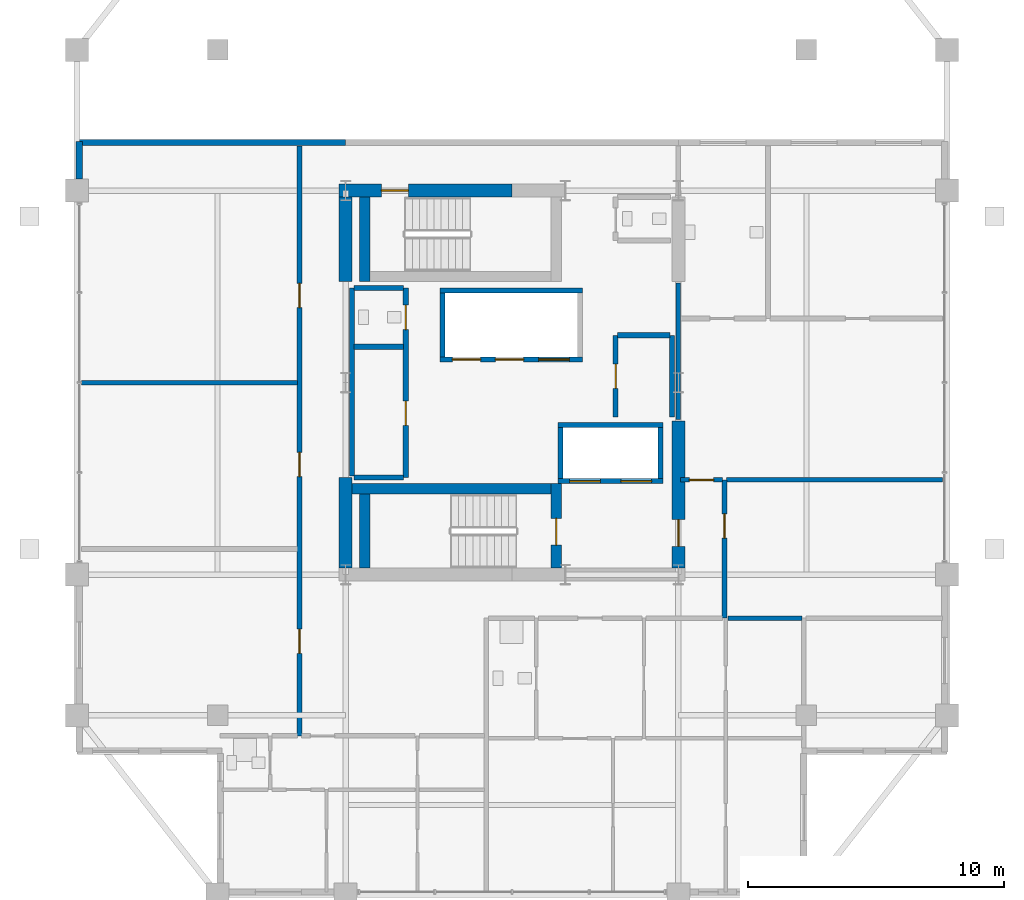
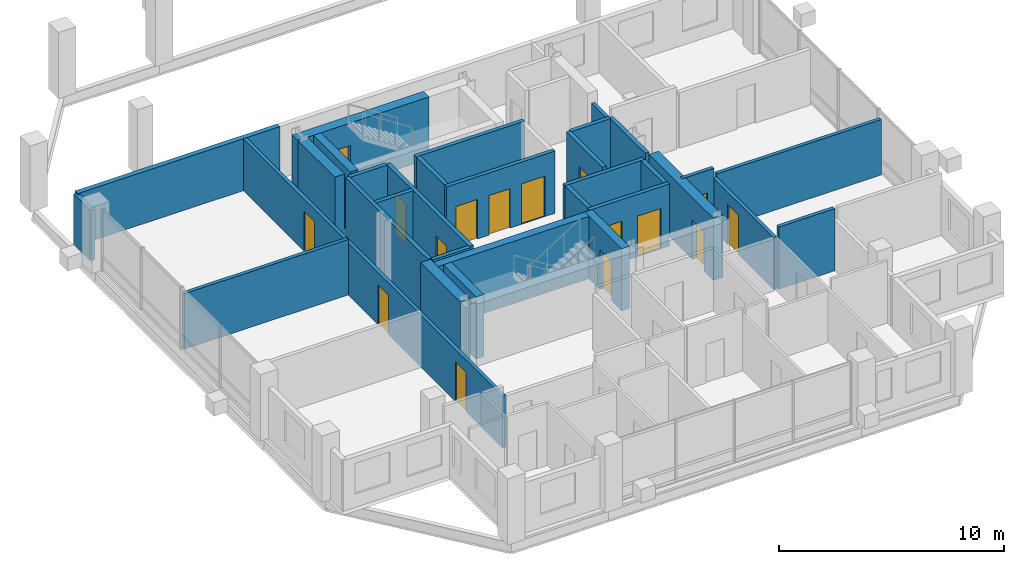
# One storey, part 13 of 16: 32 walls, 16 doors, 16 openings.
"""IFC4 building model written with IfcOpenShell, lengths in metres."""

from ifc_helpers import new_model, si_unit, direction, frame, frame_2d, origin, place, context, subcontext, project, spatial, rectangle, extrude, material, layer, layer_set, type_object, element, fill, save


model = new_model("IFC4")

# Units and contexts
model_context = context("Model", 3, precision=1e-05, world=origin(), true_north=direction((0.0, 1.0)))
body_context = subcontext(model_context, "Body", "Model", "MODEL_VIEW")
ifc_project = project(units=[si_unit("LENGTHUNIT", "METRE"), si_unit("AREAUNIT", "SQUARE_METRE"), si_unit("VOLUMEUNIT", "CUBIC_METRE"), si_unit("PLANEANGLEUNIT", "RADIAN"), si_unit("MASSUNIT", "GRAM", prefix="KILO")], contexts=[model_context])

# Site, building, storey
site_placement = place(None, origin())
site = spatial("IfcSite", under=ifc_project, at=site_placement, CompositionType="ELEMENT")
building_placement = place(site_placement, origin())
building = spatial("IfcBuilding", under=site, at=building_placement, Name="Barlavira Tower and Art Museum", CompositionType="ELEMENT")
storey_placement = place(building_placement, frame((0.0, 0.0, 265.5)))
storey = spatial("IfcBuildingStorey", under=building, at=storey_placement, Name="L69", CompositionType="ELEMENT", Elevation=265.5)

# Wall, opening, door
ifc_material_1 = material(Name="Concrete C60", Category="concrete")
ifc_layer_1 = layer(ifc_material_1, 0.5, Name="Concrete C60")
ifc_layer_set_1 = layer_set([ifc_layer_1], Name="Concrete C60")
wall_type_1 = type_object("IfcWallType", Name="Core Structural Shear Wall 500 Concrete C60", PredefinedType="SHEAR", material=ifc_layer_set_1)
wall_1_placement = place(storey_placement, frame((-6.75, 7.5, 0.0), z_axis=(0.0, 0.0, 1.0), x_axis=(1.0, 0.0, 0.0)))
wall_1 = element("IfcWall", 1, at=wall_1_placement, inside=storey, type_object=wall_type_1, Name="L69 Core Shear Wall CS-NW", PredefinedType="SHEAR", context=body_context, shape_type="SweptSolid", body=[
    extrude(rectangle(XDim=6.75, YDim=0.5, at=frame_2d((3.375, 0.0))), origin(), (0.0, 0.0, 1.0), 3.3798828125),
])
opening_1_placement = place(wall_1_placement, frame((1.64990234375, 0.0, 0.0)))
opening_1 = element("IfcOpeningElement", 2, at=opening_1_placement, cuts=wall_1, Name="Opening FD-90", PredefinedType="OPENING", context=body_context, shape_type="SweptSolid", body=[
    extrude(rectangle(XDim=1.050048828125, YDim=2.14990234375, at=frame_2d((0.52490234375, 1.074951171875))), frame((0.0, 0.260009765625, 0.0), z_axis=(0.0, -1.0, 0.0), x_axis=(1.0, 0.0, 0.0)), (0.0, 0.0, 1.0), 0.52001953125),
])
ifc_material_2 = material(Name="Brushed stainless steel", Category="steel")
door_type_1 = type_object("IfcDoorType", Name="Stair and Refuge Fire Door 1050x2150 FD90S", OperationType="NOTDEFINED", PredefinedType="DOOR", material=ifc_material_2)
door_1_placement = place(opening_1_placement, origin())
door_1 = element("IfcDoor", 3, at=door_1_placement, inside=storey, type_object=door_type_1, Name="L69 Stair ST-T2 Fire Door", OperationType="SINGLE_SWING_LEFT", OverallHeight=2.14990234375, OverallWidth=1.050048828125, PredefinedType="DOOR", context=body_context, shape_type="SweptSolid", body=[
    extrude(rectangle(XDim=1.050048828125, YDim=2.14990234375, at=frame_2d((0.52490234375, 1.074951171875))), frame((0.0, 0.02490234375, 0.0), z_axis=(0.0, -1.0, 0.0), x_axis=(1.0, 0.0, 0.0)), (0.0, 0.0, 1.0), 0.050048828125),
])
fill(opening_1, door_1)

# Walls
wall_2_placement = place(storey_placement, frame((-6.5, -7.25, 0.0), z_axis=(0.0, 0.0, 1.0), x_axis=(0.0, 1.0, 0.0)))
element("IfcWall", 4, at=wall_2_placement, inside=storey, type_object=wall_type_1, Name="L69 Core Shear Wall CS-W1", PredefinedType="SHEAR", context=body_context, shape_type="SweptSolid", body=[
    extrude(rectangle(XDim=3.550048828125, YDim=0.5, at=frame_2d((1.77490234375, 0.0))), origin(), (0.0, 0.0, 1.0), 3.3798828125),
])
wall_3_placement = place(storey_placement, frame((-6.5, 3.949951171875, 0.0), z_axis=(0.0, 0.0, 1.0), x_axis=(0.0, 1.0, 0.0)))
element("IfcWall", 5, at=wall_3_placement, inside=storey, type_object=wall_type_1, Name="L69 Core Shear Wall CS-W2", PredefinedType="SHEAR", context=body_context, shape_type="SweptSolid", body=[
    extrude(rectangle(XDim=3.300048828125, YDim=0.5, at=frame_2d((1.64990234375, 0.0))), origin(), (0.0, 0.0, 1.0), 3.3798828125),
])

# Wall, opening, door
wall_4_placement = place(storey_placement, frame((6.5, -7.25, 0.0), z_axis=(0.0, 0.0, 1.0), x_axis=(0.0, 1.0, 0.0)))
wall_4 = element("IfcWall", 6, at=wall_4_placement, inside=storey, type_object=wall_type_1, Name="L69 Core Shear Wall CS-E1", PredefinedType="SHEAR", context=body_context, shape_type="SweptSolid", body=[
    extrude(rectangle(XDim=5.75, YDim=0.5, at=frame_2d((2.875, 0.0))), origin(), (0.0, 0.0, 1.0), 3.3798828125),
])
opening_2_placement = place(wall_4_placement, frame((0.85009765625, 0.0, 0.0)))
opening_2 = element("IfcOpeningElement", 7, at=opening_2_placement, cuts=wall_4, Name="Opening FD-90", PredefinedType="OPENING", context=body_context, shape_type="SweptSolid", body=[
    extrude(rectangle(XDim=1.050048828125, YDim=2.14990234375, at=frame_2d((0.52490234375, 1.074951171875))), frame((0.0, 0.260009765625, 0.0), z_axis=(0.0, -1.0, 0.0), x_axis=(1.0, 0.0, 0.0)), (0.0, 0.0, 1.0), 0.52001953125),
])
door_2_placement = place(opening_2_placement, origin())
door_2 = element("IfcDoor", 8, at=door_2_placement, inside=storey, type_object=door_type_1, Name="L69 Firefighting Lobby Entry Fire Door", OperationType="SINGLE_SWING_LEFT", OverallHeight=2.14990234375, OverallWidth=1.050048828125, PredefinedType="DOOR", context=body_context, shape_type="SweptSolid", body=[
    extrude(rectangle(XDim=1.050048828125, YDim=2.14990234375, at=frame_2d((0.52490234375, 1.074951171875))), frame((0.0, 0.02490234375, 0.0), z_axis=(0.0, -1.0, 0.0), x_axis=(1.0, 0.0, 0.0)), (0.0, 0.0, 1.0), 0.050048828125),
])
fill(opening_2, door_2)

# Wall, openings, doors
ifc_material_3 = material(Name="Autoclaved aerated concrete masonry", Category="masonry")
ifc_layer_2 = layer(ifc_material_3, 0.199951171875, Name="Autoclaved aerated concrete masonry")
ifc_layer_set_2 = layer_set([ifc_layer_2], Name="Autoclaved aerated concrete masonry")
wall_type_2 = type_object("IfcWallType", Name="Fire Compartment and Shaft Wall 200", PredefinedType="SOLIDWALL", material=ifc_layer_set_2)
wall_5_placement = place(storey_placement, frame((-2.820068359375, 0.89990234375, 0.0), z_axis=(0.0, 0.0, 1.0), x_axis=(1.0, 0.0, 0.0)))
wall_5 = element("IfcWall", 9, at=wall_5_placement, inside=storey, type_object=wall_type_2, Name="L69 High-Rise & Service Lift Front Wall", PredefinedType="SOLIDWALL", context=body_context, shape_type="SweptSolid", body=[
    extrude(rectangle(XDim=5.580078125, YDim=0.199951171875, at=frame_2d((2.7900390625, 0.0))), origin(), (0.0, 0.0, 1.0), 3.3798828125),
])
opening_3_placement = place(wall_5_placement, frame((0.489990234375, 0.0, 0.0)))
opening_3 = element("IfcOpeningElement", 10, at=opening_3_placement, cuts=wall_5, Name="Opening LD-P", PredefinedType="OPENING", context=body_context, shape_type="SweptSolid", body=[
    extrude(rectangle(XDim=1.10009765625, YDim=2.14990234375, at=frame_2d((0.550048828125, 1.074951171875))), frame((0.0, 0.10986328125, 0.0), z_axis=(0.0, -1.0, 0.0), x_axis=(1.0, 0.0, 0.0)), (0.0, 0.0, 1.0), 0.219970703125),
])
opening_4_placement = place(wall_5_placement, frame((2.169921875, 0.0, 0.0)))
opening_4 = element("IfcOpeningElement", 11, at=opening_4_placement, cuts=wall_5, Name="Opening LD-P", PredefinedType="OPENING", context=body_context, shape_type="SweptSolid", body=[
    extrude(rectangle(XDim=1.10009765625, YDim=2.14990234375, at=frame_2d((0.550048828125, 1.074951171875))), frame((0.0, 0.10986328125, 0.0), z_axis=(0.0, -1.0, 0.0), x_axis=(1.0, 0.0, 0.0)), (0.0, 0.0, 1.0), 0.219970703125),
])
opening_5_placement = place(wall_5_placement, frame((3.860107421875, 0.0, 0.0)))
opening_5 = element("IfcOpeningElement", 12, at=opening_5_placement, cuts=wall_5, Name="Opening LD-F", PredefinedType="OPENING", context=body_context, shape_type="SweptSolid", body=[
    extrude(rectangle(XDim=1.199951171875, YDim=2.199951171875, at=frame_2d((0.60009765625, 1.10009765625))), frame((0.0, 0.10986328125, 0.0), z_axis=(0.0, -1.0, 0.0), x_axis=(1.0, 0.0, 0.0)), (0.0, 0.0, 1.0), 0.219970703125),
])
door_type_2 = type_object("IfcDoorType", Name="Firefighting and Service Lift Sliding Door 1200x2200 FD120", OperationType="NOTDEFINED", PredefinedType="DOOR", material=ifc_material_2)
door_3_placement = place(opening_5_placement, origin())
door_3 = element("IfcDoor", 13, at=door_3_placement, inside=storey, type_object=door_type_2, Name="L69 Stretcher Service Lift SL1 Sliding Door", OperationType="DOUBLE_DOOR_SLIDING", OverallHeight=2.199951171875, OverallWidth=1.199951171875, PredefinedType="DOOR", context=body_context, shape_type="SweptSolid", body=[
    extrude(rectangle(XDim=1.199951171875, YDim=2.199951171875, at=frame_2d((0.60009765625, 1.10009765625))), frame((0.0, 0.02490234375, 0.0), z_axis=(0.0, -1.0, 0.0), x_axis=(1.0, 0.0, 0.0)), (0.0, 0.0, 1.0), 0.050048828125),
])
fill(opening_5, door_3)
door_type_3 = type_object("IfcDoorType", Name="Passenger Lift Sliding Landing Door 1100x2150 FD60", OperationType="NOTDEFINED", PredefinedType="DOOR", material=ifc_material_2)
door_4_placement = place(opening_3_placement, origin())
door_4 = element("IfcDoor", 14, at=door_4_placement, inside=storey, type_object=door_type_3, Name="L69 Lift PH1 Sliding Landing Door", OperationType="DOUBLE_DOOR_SLIDING", OverallHeight=2.14990234375, OverallWidth=1.10009765625, PredefinedType="DOOR", context=body_context, shape_type="SweptSolid", body=[
    extrude(rectangle(XDim=1.10009765625, YDim=2.14990234375, at=frame_2d((0.550048828125, 1.074951171875))), frame((0.0, 0.02490234375, 0.0), z_axis=(0.0, -1.0, 0.0), x_axis=(1.0, 0.0, 0.0)), (0.0, 0.0, 1.0), 0.050048828125),
])
fill(opening_3, door_4)
door_5_placement = place(opening_4_placement, origin())
door_5 = element("IfcDoor", 15, at=door_5_placement, inside=storey, type_object=door_type_3, Name="L69 Lift PH2 Sliding Landing Door", OperationType="DOUBLE_DOOR_SLIDING", OverallHeight=2.14990234375, OverallWidth=1.10009765625, PredefinedType="DOOR", context=body_context, shape_type="SweptSolid", body=[
    extrude(rectangle(XDim=1.10009765625, YDim=2.14990234375, at=frame_2d((0.550048828125, 1.074951171875))), frame((0.0, 0.02490234375, 0.0), z_axis=(0.0, -1.0, 0.0), x_axis=(1.0, 0.0, 0.0)), (0.0, 0.0, 1.0), 0.050048828125),
])
fill(opening_4, door_5)

# Walls
wall_6_placement = place(storey_placement, frame((-2.820068359375, 3.60009765625, 0.0), z_axis=(0.0, 0.0, 1.0), x_axis=(1.0, 0.0, 0.0)))
element("IfcWall", 16, at=wall_6_placement, inside=storey, type_object=wall_type_2, Name="L69 High-Rise & Service Lift Back Wall", PredefinedType="SOLIDWALL", context=body_context, shape_type="SweptSolid", body=[
    extrude(rectangle(XDim=5.580078125, YDim=0.199951171875, at=frame_2d((2.7900390625, 0.0))), origin(), (0.0, 0.0, 1.0), 3.3798828125),
])
wall_7_placement = place(storey_placement, frame((-2.719970703125, 1.0, 0.0), z_axis=(0.0, 0.0, 1.0), x_axis=(0.0, 1.0, 0.0)))
element("IfcWall", 17, at=wall_7_placement, inside=storey, type_object=wall_type_2, Name="L69 High-Rise & Service Lift West Wall", PredefinedType="SOLIDWALL", context=body_context, shape_type="SweptSolid", body=[
    extrude(rectangle(XDim=2.5, YDim=0.199951171875, at=frame_2d((1.25, 0.0))), origin(), (0.0, 0.0, 1.0), 3.3798828125),
])

# Wall, openings, doors
wall_8_placement = place(storey_placement, frame((1.800048828125, -3.85009765625, 0.0), z_axis=(0.0, 0.0, 1.0), x_axis=(1.0, 0.0, 0.0)))
wall_8 = element("IfcWall", 18, at=wall_8_placement, inside=storey, type_object=wall_type_2, Name="L69 Firefighting Lift Front Shaft Wall", PredefinedType="SOLIDWALL", context=body_context, shape_type="SweptSolid", body=[
    extrude(rectangle(XDim=4.099853515625, YDim=0.199951171875, at=frame_2d((2.0498046875, 0.0))), origin(), (0.0, 0.0, 1.0), 3.3798828125),
])
opening_6_placement = place(wall_8_placement, frame((0.449951171875, 0.0, 0.0)))
opening_6 = element("IfcOpeningElement", 19, at=opening_6_placement, cuts=wall_8, Name="Opening LD-F", PredefinedType="OPENING", context=body_context, shape_type="SweptSolid", body=[
    extrude(rectangle(XDim=1.199951171875, YDim=2.199951171875, at=frame_2d((0.60009765625, 1.10009765625))), frame((0.0, 0.10986328125, 0.0), z_axis=(0.0, -1.0, 0.0), x_axis=(1.0, 0.0, 0.0)), (0.0, 0.0, 1.0), 0.219970703125),
])
opening_7_placement = place(wall_8_placement, frame((2.449951171875, 0.0, 0.0)))
opening_7 = element("IfcOpeningElement", 20, at=opening_7_placement, cuts=wall_8, Name="Opening LD-F", PredefinedType="OPENING", context=body_context, shape_type="SweptSolid", body=[
    extrude(rectangle(XDim=1.199951171875, YDim=2.199951171875, at=frame_2d((0.60009765625, 1.10009765625))), frame((0.0, 0.10986328125, 0.0), z_axis=(0.0, -1.0, 0.0), x_axis=(1.0, 0.0, 0.0)), (0.0, 0.0, 1.0), 0.219970703125),
])
door_6_placement = place(opening_6_placement, origin())
door_6 = element("IfcDoor", 21, at=door_6_placement, inside=storey, type_object=door_type_2, Name="L69 Firefighting Lift FF1 Sliding Door", OperationType="DOUBLE_DOOR_SLIDING", OverallHeight=2.199951171875, OverallWidth=1.199951171875, PredefinedType="DOOR", context=body_context, shape_type="SweptSolid", body=[
    extrude(rectangle(XDim=1.199951171875, YDim=2.199951171875, at=frame_2d((0.60009765625, 1.10009765625))), frame((0.0, 0.02490234375, 0.0), z_axis=(0.0, -1.0, 0.0), x_axis=(1.0, 0.0, 0.0)), (0.0, 0.0, 1.0), 0.050048828125),
])
fill(opening_6, door_6)
door_7_placement = place(opening_7_placement, origin())
door_7 = element("IfcDoor", 22, at=door_7_placement, inside=storey, type_object=door_type_2, Name="L69 Firefighting Lift FF2 Sliding Door", OperationType="DOUBLE_DOOR_SLIDING", OverallHeight=2.199951171875, OverallWidth=1.199951171875, PredefinedType="DOOR", context=body_context, shape_type="SweptSolid", body=[
    extrude(rectangle(XDim=1.199951171875, YDim=2.199951171875, at=frame_2d((0.60009765625, 1.10009765625))), frame((0.0, 0.02490234375, 0.0), z_axis=(0.0, -1.0, 0.0), x_axis=(1.0, 0.0, 0.0)), (0.0, 0.0, 1.0), 0.050048828125),
])
fill(opening_7, door_7)

# Walls
wall_9_placement = place(storey_placement, frame((1.800048828125, -1.64990234375, 0.0), z_axis=(0.0, 0.0, 1.0), x_axis=(1.0, 0.0, 0.0)))
element("IfcWall", 23, at=wall_9_placement, inside=storey, type_object=wall_type_2, Name="L69 Firefighting Lift Back Shaft Wall", PredefinedType="SOLIDWALL", context=body_context, shape_type="SweptSolid", body=[
    extrude(rectangle(XDim=4.099853515625, YDim=0.199951171875, at=frame_2d((2.0498046875, 0.0))), origin(), (0.0, 0.0, 1.0), 3.3798828125),
])
for number, where, z_axis, x_axis, name in (
    (24, (1.89990234375, -3.75, 0.0), (0.0, 0.0, 1.0), (0.0, 1.0, 0.0), "L69 Firefighting Lift West Shaft Wall"),
    (25, (5.800048828125, -3.75, 0.0), (0.0, 0.0, 1.0), (0.0, 1.0, 0.0), "L69 Firefighting Lift East Shaft Wall"),
):
    element("IfcWall", number, at=place(storey_placement, frame(where, z_axis=z_axis, x_axis=x_axis)), inside=storey, type_object=wall_type_2, Name=name, PredefinedType="SOLIDWALL", context=body_context, shape_type="SweptSolid", body=[
        extrude(rectangle(XDim=2.0, YDim=0.199951171875, at=frame_2d((1.0, 0.0))), origin(), (0.0, 0.0, 1.0), 3.3798828125),
    ])
wall_10_placement = place(storey_placement, frame((-6.25, -3.639892578125, 0.0), z_axis=(0.0, 0.0, 1.0), x_axis=(0.0, 1.0, 0.0)))
element("IfcWall", 26, at=wall_10_placement, inside=storey, type_object=wall_type_2, Name="L69 Partition Wall 4", PredefinedType="SOLIDWALL", context=body_context, shape_type="SweptSolid", body=[
    extrude(rectangle(XDim=7.33984375, YDim=0.199951171875, at=frame_2d((3.669921875, 0.0))), origin(), (0.0, 0.0, 1.0), 3.3798828125),
])

# Wall, openings, doors
wall_11_placement = place(storey_placement, frame((-4.14990234375, -3.699951171875, 0.0), z_axis=(0.0, 0.0, 1.0), x_axis=(0.0, 1.0, 0.0)))
wall_11 = element("IfcWall", 27, at=wall_11_placement, inside=storey, type_object=wall_type_2, Name="L69 Partition Wall 5", PredefinedType="SOLIDWALL", context=body_context, shape_type="SweptSolid", body=[
    extrude(rectangle(XDim=7.39990234375, YDim=0.199951171875, at=frame_2d((3.699951171875, 0.0))), origin(), (0.0, 0.0, 1.0), 3.3798828125),
])
opening_8_placement = place(wall_11_placement, frame((2.02490234375, 0.0, 0.0)))
opening_8 = element("IfcOpeningElement", 28, at=opening_8_placement, cuts=wall_11, Name="Opening FD-60", PredefinedType="OPENING", context=body_context, shape_type="SweptSolid", body=[
    extrude(rectangle(XDim=0.949951171875, YDim=2.14990234375, at=frame_2d((0.47509765625, 1.074951171875))), frame((0.0, 0.10986328125, 0.0), z_axis=(0.0, -1.0, 0.0), x_axis=(1.0, 0.0, 0.0)), (0.0, 0.0, 1.0), 0.219970703125),
])
opening_9_placement = place(wall_11_placement, frame((5.77490234375, 0.0, 0.0)))
opening_9 = element("IfcOpeningElement", 29, at=opening_9_placement, cuts=wall_11, Name="Opening FD-60", PredefinedType="OPENING", context=body_context, shape_type="SweptSolid", body=[
    extrude(rectangle(XDim=0.949951171875, YDim=2.14990234375, at=frame_2d((0.47509765625, 1.074951171875))), frame((0.0, 0.10986328125, 0.0), z_axis=(0.0, -1.0, 0.0), x_axis=(1.0, 0.0, 0.0)), (0.0, 0.0, 1.0), 0.219970703125),
])
door_type_4 = type_object("IfcDoorType", Name="Apartment Entrance and Riser Fire Door 950x2150 FD60S", OperationType="NOTDEFINED", PredefinedType="DOOR", material=ifc_material_2)
door_8_placement = place(opening_8_placement, origin())
door_8 = element("IfcDoor", 30, at=door_8_placement, inside=storey, type_object=door_type_4, Name="Reclaimed Core Resident Parcel Room Door", OperationType="SINGLE_SWING_RIGHT", OverallHeight=2.14990234375, OverallWidth=0.949951171875, PredefinedType="DOOR", context=body_context, shape_type="SweptSolid", body=[
    extrude(rectangle(XDim=0.949951171875, YDim=2.14990234375, at=frame_2d((0.47509765625, 1.074951171875))), frame((0.0, 0.02490234375, 0.0), z_axis=(0.0, -1.0, 0.0), x_axis=(1.0, 0.0, 0.0)), (0.0, 0.0, 1.0), 0.050048828125),
])
fill(opening_8, door_8)
door_9_placement = place(opening_9_placement, origin())
door_9 = element("IfcDoor", 31, at=door_9_placement, inside=storey, type_object=door_type_4, Name="Reclaimed Core Accessible WC Door", OperationType="SINGLE_SWING_LEFT", OverallHeight=2.14990234375, OverallWidth=0.949951171875, PredefinedType="DOOR", context=body_context, shape_type="SweptSolid", body=[
    extrude(rectangle(XDim=0.949951171875, YDim=2.14990234375, at=frame_2d((0.47509765625, 1.074951171875))), frame((0.0, 0.02490234375, 0.0), z_axis=(0.0, -1.0, 0.0), x_axis=(1.0, 0.0, 0.0)), (0.0, 0.0, 1.0), 0.050048828125),
])
fill(opening_9, door_9)

# Wall, opening, door
wall_12_placement = place(storey_placement, frame((4.050048828125, -1.35009765625, 0.0), z_axis=(0.0, 0.0, 1.0), x_axis=(0.0, 1.0, 0.0)))
wall_12 = element("IfcWall", 32, at=wall_12_placement, inside=storey, type_object=wall_type_2, Name="L69 Partition Wall 10", PredefinedType="SOLIDWALL", context=body_context, shape_type="SweptSolid", body=[
    extrude(rectangle(XDim=3.2001953125, YDim=0.199951171875, at=frame_2d((1.60009765625, 0.0))), origin(), (0.0, 0.0, 1.0), 3.3798828125),
])
opening_10_placement = place(wall_12_placement, frame((1.125, 0.0, 0.0)))
opening_10 = element("IfcOpeningElement", 33, at=opening_10_placement, cuts=wall_12, Name="Opening FD-60", PredefinedType="OPENING", context=body_context, shape_type="SweptSolid", body=[
    extrude(rectangle(XDim=0.949951171875, YDim=2.14990234375, at=frame_2d((0.47509765625, 1.074951171875))), frame((0.0, 0.10986328125, 0.0), z_axis=(0.0, -1.0, 0.0), x_axis=(1.0, 0.0, 0.0)), (0.0, 0.0, 1.0), 0.219970703125),
])
door_10_placement = place(opening_10_placement, origin())
door_10 = element("IfcDoor", 34, at=door_10_placement, inside=storey, type_object=door_type_4, Name="Reclaimed Upper Core Valet Store Door", OperationType="SINGLE_SWING_RIGHT", OverallHeight=2.14990234375, OverallWidth=0.949951171875, PredefinedType="DOOR", context=body_context, shape_type="SweptSolid", body=[
    extrude(rectangle(XDim=0.949951171875, YDim=2.14990234375, at=frame_2d((0.47509765625, 1.074951171875))), frame((0.0, 0.02490234375, 0.0), z_axis=(0.0, -1.0, 0.0), x_axis=(1.0, 0.0, 0.0)), (0.0, 0.0, 1.0), 0.050048828125),
])
fill(opening_10, door_10)

# Walls
wall_13_placement = place(storey_placement, frame((6.25, -1.35009765625, 0.0), z_axis=(0.0, 0.0, 1.0), x_axis=(0.0, 1.0, 0.0)))
element("IfcWall", 35, at=wall_13_placement, inside=storey, type_object=wall_type_2, Name="L69 Partition Wall 13", PredefinedType="SOLIDWALL", context=body_context, shape_type="SweptSolid", body=[
    extrude(rectangle(XDim=3.2001953125, YDim=0.199951171875, at=frame_2d((1.60009765625, 0.0))), origin(), (0.0, 0.0, 1.0), 3.3798828125),
])
for number, where, z_axis, x_axis, name in (
    (36, (-6.169921875, -3.699951171875, 0.0), (0.0, 0.0, 1.0), (1.0, 0.0, 0.0), "L69 Partition Wall 41"),
    (37, (-6.169921875, 1.39990234375, 0.0), (0.0, 0.0, 1.0), (1.0, 0.0, 0.0), "L69 Partition Wall 43"),
):
    element("IfcWall", number, at=place(storey_placement, frame(where, z_axis=z_axis, x_axis=x_axis)), inside=storey, type_object=wall_type_2, Name=name, PredefinedType="SOLIDWALL", context=body_context, shape_type="SweptSolid", body=[
        extrude(rectangle(XDim=1.93994140625, YDim=0.199951171875, at=frame_2d((0.969970703125, 0.0))), origin(), (0.0, 0.0, 1.0), 3.3798828125),
    ])
wall_14_placement = place(storey_placement, frame((4.1298828125, 1.85009765625, 0.0), z_axis=(0.0, 0.0, 1.0), x_axis=(1.0, 0.0, 0.0)))
element("IfcWall", 38, at=wall_14_placement, inside=storey, type_object=wall_type_2, Name="L69 Partition Wall 44", PredefinedType="SOLIDWALL", context=body_context, shape_type="SweptSolid", body=[
    extrude(rectangle(XDim=2.0400390625, YDim=0.199951171875, at=frame_2d((1.02001953125, 0.0))), origin(), (0.0, 0.0, 1.0), 3.3798828125),
])
wall_15_placement = place(storey_placement, frame((-6.169921875, 3.699951171875, 0.0), z_axis=(0.0, 0.0, 1.0), x_axis=(1.0, 0.0, 0.0)))
element("IfcWall", 39, at=wall_15_placement, inside=storey, type_object=wall_type_2, Name="L69 Partition Wall 47", PredefinedType="SOLIDWALL", context=body_context, shape_type="SweptSolid", body=[
    extrude(rectangle(XDim=1.93994140625, YDim=0.199951171875, at=frame_2d((0.969970703125, 0.0))), origin(), (0.0, 0.0, 1.0), 3.3798828125),
])

# Wall, openings, doors
ifc_material_4 = material(Name="Gypsum acoustic stud partition", Category="gypsum")
ifc_layer_3 = layer(ifc_material_4, 0.179931640625, Name="Gypsum acoustic stud partition")
ifc_layer_set_3 = layer_set([ifc_layer_3], Name="Gypsum acoustic stud partition")
wall_type_3 = type_object("IfcWallType", Name="Inter-Tenancy Party Partition Wall 180", PredefinedType="PARTITIONING", material=ifc_layer_set_3)
wall_16_placement = place(storey_placement, frame((-8.300048828125, -13.800048828125, 0.0), z_axis=(0.0, 0.0, 1.0), x_axis=(0.0, 1.0, 0.0)))
wall_16 = element("IfcWall", 40, at=wall_16_placement, inside=storey, type_object=wall_type_3, Name="L69 Partition Wall 2", PredefinedType="PARTITIONING", context=body_context, shape_type="SweptSolid", body=[
    extrude(rectangle(XDim=23.050048828125, YDim=0.179931640625, at=frame_2d((11.52490234375, 0.0))), origin(), (0.0, 0.0, 1.0), 2.825927734375),
])
opening_11_placement = place(wall_16_placement, frame((3.22509765625, 0.0, 0.0)))
opening_11 = element("IfcOpeningElement", 41, at=opening_11_placement, cuts=wall_16, Name="Opening FD-60", PredefinedType="OPENING", context=body_context, shape_type="SweptSolid", body=[
    extrude(rectangle(XDim=0.949951171875, YDim=2.14990234375, at=frame_2d((0.47509765625, 1.074951171875))), frame((0.0, 0.10009765625, 0.0), z_axis=(0.0, -1.0, 0.0), x_axis=(1.0, 0.0, 0.0)), (0.0, 0.0, 1.0), 0.199951171875),
])
opening_12_placement = place(wall_16_placement, frame((10.125, 0.0, 0.0)))
opening_12 = element("IfcOpeningElement", 42, at=opening_12_placement, cuts=wall_16, Name="Opening FD-60", PredefinedType="OPENING", context=body_context, shape_type="SweptSolid", body=[
    extrude(rectangle(XDim=0.949951171875, YDim=2.14990234375, at=frame_2d((0.47509765625, 1.074951171875))), frame((0.0, 0.10009765625, 0.0), z_axis=(0.0, -1.0, 0.0), x_axis=(1.0, 0.0, 0.0)), (0.0, 0.0, 1.0), 0.199951171875),
])
opening_13_placement = place(wall_16_placement, frame((16.72509765625, 0.0, 0.0)))
opening_13 = element("IfcOpeningElement", 43, at=opening_13_placement, cuts=wall_16, Name="Opening FD-60", PredefinedType="OPENING", context=body_context, shape_type="SweptSolid", body=[
    extrude(rectangle(XDim=0.949951171875, YDim=2.14990234375, at=frame_2d((0.47509765625, 1.074951171875))), frame((0.0, 0.10009765625, 0.0), z_axis=(0.0, -1.0, 0.0), x_axis=(1.0, 0.0, 0.0)), (0.0, 0.0, 1.0), 0.199951171875),
])
door_11_placement = place(opening_11_placement, origin())
door_11 = element("IfcDoor", 44, at=door_11_placement, inside=storey, type_object=door_type_4, Name="Wind-Portal Sky Observatory Lounge Door", OperationType="SINGLE_SWING_LEFT", OverallHeight=2.14990234375, OverallWidth=0.949951171875, PredefinedType="DOOR", context=body_context, shape_type="SweptSolid", body=[
    extrude(rectangle(XDim=0.949951171875, YDim=2.14990234375, at=frame_2d((0.47509765625, 1.074951171875))), frame((0.0, 0.02490234375, 0.0), z_axis=(0.0, -1.0, 0.0), x_axis=(1.0, 0.0, 0.0)), (0.0, 0.0, 1.0), 0.050048828125),
])
fill(opening_11, door_11)
door_12_placement = place(opening_12_placement, origin())
door_12 = element("IfcDoor", 45, at=door_12_placement, inside=storey, type_object=door_type_4, Name="Wind-Portal Coastal Sculpture Salon Door", OperationType="SINGLE_SWING_RIGHT", OverallHeight=2.14990234375, OverallWidth=0.949951171875, PredefinedType="DOOR", context=body_context, shape_type="SweptSolid", body=[
    extrude(rectangle(XDim=0.949951171875, YDim=2.14990234375, at=frame_2d((0.47509765625, 1.074951171875))), frame((0.0, 0.02490234375, 0.0), z_axis=(0.0, -1.0, 0.0), x_axis=(1.0, 0.0, 0.0)), (0.0, 0.0, 1.0), 0.050048828125),
])
fill(opening_12, door_12)
door_13_placement = place(opening_13_placement, origin())
door_13 = element("IfcDoor", 46, at=door_13_placement, inside=storey, type_object=door_type_4, Name="Wind-Portal Coastal Reading Room Door", OperationType="SINGLE_SWING_LEFT", OverallHeight=2.14990234375, OverallWidth=0.949951171875, PredefinedType="DOOR", context=body_context, shape_type="SweptSolid", body=[
    extrude(rectangle(XDim=0.949951171875, YDim=2.14990234375, at=frame_2d((0.47509765625, 1.074951171875))), frame((0.0, 0.02490234375, 0.0), z_axis=(0.0, -1.0, 0.0), x_axis=(1.0, 0.0, 0.0)), (0.0, 0.0, 1.0), 0.050048828125),
])
fill(opening_13, door_13)

# Wall
wall_17_placement = place(storey_placement, frame((6.5, -1.43994140625, 0.0), z_axis=(0.0, 0.0, 1.0), x_axis=(0.0, 1.0, 0.0)))
element("IfcWall", 47, at=wall_17_placement, inside=storey, type_object=wall_type_3, Name="L69 Partition Wall 14", PredefinedType="PARTITIONING", context=body_context, shape_type="SweptSolid", body=[
    extrude(rectangle(XDim=5.329833984375, YDim=0.179931640625, at=frame_2d((2.6650390625, 0.0))), origin(), (0.0, 0.0, 1.0), 2.825927734375),
])

# Wall, opening, door
wall_18_placement = place(storey_placement, frame((8.300048828125, -9.199951171875, 0.0), z_axis=(0.0, 0.0, 1.0), x_axis=(0.0, 1.0, 0.0)))
wall_18 = element("IfcWall", 48, at=wall_18_placement, inside=storey, type_object=wall_type_3, Name="L69 Partition Wall 16", PredefinedType="PARTITIONING", context=body_context, shape_type="SweptSolid", body=[
    extrude(rectangle(XDim=5.39990234375, YDim=0.179931640625, at=frame_2d((2.699951171875, 0.0))), origin(), (0.0, 0.0, 1.0), 2.825927734375),
])
opening_14_placement = place(wall_18_placement, frame((3.125, 0.0, 0.0)))
opening_14 = element("IfcOpeningElement", 49, at=opening_14_placement, cuts=wall_18, Name="Opening FD-60", PredefinedType="OPENING", context=body_context, shape_type="SweptSolid", body=[
    extrude(rectangle(XDim=0.949951171875, YDim=2.14990234375, at=frame_2d((0.47509765625, 1.074951171875))), frame((0.0, 0.10009765625, 0.0), z_axis=(0.0, -1.0, 0.0), x_axis=(1.0, 0.0, 0.0)), (0.0, 0.0, 1.0), 0.199951171875),
])
door_14_placement = place(opening_14_placement, origin())
door_14 = element("IfcDoor", 50, at=door_14_placement, inside=storey, type_object=door_type_4, Name="Wind-Portal Private Dining Room Door", OperationType="SINGLE_SWING_RIGHT", OverallHeight=2.14990234375, OverallWidth=0.949951171875, PredefinedType="DOOR", context=body_context, shape_type="SweptSolid", body=[
    extrude(rectangle(XDim=0.949951171875, YDim=2.14990234375, at=frame_2d((0.47509765625, 1.074951171875))), frame((0.0, 0.02490234375, 0.0), z_axis=(0.0, -1.0, 0.0), x_axis=(1.0, 0.0, 0.0)), (0.0, 0.0, 1.0), 0.050048828125),
])
fill(opening_14, door_14)

# Wall
wall_19_placement = place(storey_placement, frame((8.429931640625, -9.199951171875, 0.0), z_axis=(0.0, 0.0, 1.0), x_axis=(1.0, 0.0, 0.0)))
element("IfcWall", 51, at=wall_19_placement, inside=storey, type_object=wall_type_3, Name="L69 Partition Wall 36", PredefinedType="PARTITIONING", context=body_context, shape_type="SweptSolid", body=[
    extrude(rectangle(XDim=2.89013671875, YDim=0.179931640625, at=frame_2d((1.445068359375, 0.0))), origin(), (0.0, 0.0, 1.0), 3.3798828125),
])

# Wall, opening, door
wall_20_placement = place(storey_placement, frame((6.580078125, -3.800048828125, 0.0), z_axis=(0.0, 0.0, 1.0), x_axis=(1.0, 0.0, 0.0)))
wall_20 = element("IfcWall", 52, at=wall_20_placement, inside=storey, type_object=wall_type_3, Name="L69 Partition Wall 39", PredefinedType="PARTITIONING", context=body_context, shape_type="SweptSolid", body=[
    extrude(rectangle(XDim=1.639892578125, YDim=0.179931640625, at=frame_2d((0.81982421875, 0.0))), origin(), (0.0, 0.0, 1.0), 3.3798828125),
])
opening_15_placement = place(wall_20_placement, frame((0.344970703125, 0.0, 0.0)))
opening_15 = element("IfcOpeningElement", 53, at=opening_15_placement, cuts=wall_20, Name="Opening FD-60", PredefinedType="OPENING", context=body_context, shape_type="SweptSolid", body=[
    extrude(rectangle(XDim=0.949951171875, YDim=2.14990234375, at=frame_2d((0.47509765625, 1.074951171875))), frame((0.0, 0.10009765625, 0.0), z_axis=(0.0, -1.0, 0.0), x_axis=(1.0, 0.0, 0.0)), (0.0, 0.0, 1.0), 0.199951171875),
])
door_15_placement = place(opening_15_placement, origin())
door_15 = element("IfcDoor", 54, at=door_15_placement, inside=storey, type_object=door_type_4, Name="Shared Wind-Portal Catering Kitchen Door", OperationType="SINGLE_SWING_LEFT", OverallHeight=2.14990234375, OverallWidth=0.949951171875, PredefinedType="DOOR", context=body_context, shape_type="SweptSolid", body=[
    extrude(rectangle(XDim=0.949951171875, YDim=2.14990234375, at=frame_2d((0.47509765625, 1.074951171875))), frame((0.0, 0.02490234375, 0.0), z_axis=(0.0, -1.0, 0.0), x_axis=(1.0, 0.0, 0.0)), (0.0, 0.0, 1.0), 0.050048828125),
])
fill(opening_15, door_15)

# Walls
for number, where, z_axis, x_axis, name in (
    (55, (8.3798828125, -3.800048828125, 0.0), (0.0, 0.0, 1.0), (1.0, 0.0, 0.0), "L69 Partition Wall 40"),
    (56, (-16.820068359375, 0.0, 0.0), (0.0, 0.0, 1.0), (1.0, 0.0, 0.0), "L69 Partition Wall 42"),
):
    element("IfcWall", number, at=place(storey_placement, frame(where, z_axis=z_axis, x_axis=x_axis)), inside=storey, type_object=wall_type_3, Name=name, PredefinedType="PARTITIONING", context=body_context, shape_type="SweptSolid", body=[
        extrude(rectangle(XDim=8.440185546875, YDim=0.179931640625, at=frame_2d((4.22021484375, 0.0))), origin(), (0.0, 0.0, 1.0), 3.01806640625),
    ])
ifc_material_5 = material(Name="Precast concrete C40", Category="concrete")
ifc_layer_4 = layer(ifc_material_5, 0.25, Name="Precast concrete C40")
ifc_layer_set_4 = layer_set([ifc_layer_4], Name="Precast concrete C40")
wall_type_4 = type_object("IfcWallType", Name="Notched Corner Spandrel Wall 250 Precast Concrete C40", PredefinedType="SOLIDWALL", material=ifc_layer_set_4)
wall_21_placement = place(storey_placement, frame((-16.89990234375, 9.425048828125, 0.0), z_axis=(0.0, 0.0, 1.0), x_axis=(0.0, -1.0, 0.0)))
element("IfcWall", 57, at=wall_21_placement, inside=storey, type_object=wall_type_4, Name="L69 Coastal Facade Pier Wall CW4-L69-W-1", PredefinedType="SOLIDWALL", context=body_context, shape_type="SweptSolid", body=[
    extrude(rectangle(XDim=1.47998046875, YDim=0.25, at=frame_2d((0.739990234375, 0.0))), origin(), (0.0, 0.0, 1.0), 2.748046875),
])
wall_22_placement = place(storey_placement, frame((-16.89990234375, 9.3798828125, 0.0), z_axis=(0.0, 0.0, 1.0), x_axis=(1.0, 0.0, 0.0)))
element("IfcWall", 58, at=wall_22_placement, inside=storey, type_object=wall_type_4, Name="L69 Wind Portal West Backdrop Wall", PredefinedType="SOLIDWALL", context=body_context, shape_type="SweptSolid", body=[
    extrude(rectangle(XDim=10.39990234375, YDim=0.25, at=frame_2d((5.199951171875, 0.0))), origin(), (0.0, 0.0, 1.0), 2.825927734375),
])
ifc_material_6 = material(Name="Concrete C55", Category="concrete")
ifc_layer_5 = layer(ifc_material_6, 0.39990234375, Name="Concrete C55")
ifc_layer_set_5 = layer_set([ifc_layer_5], Name="Concrete C55")
wall_type_5 = type_object("IfcWallType", Name="Upper Core Shear Wall 400 Concrete C55", PredefinedType="SHEAR", material=ifc_layer_set_5)
wall_23_placement = place(storey_placement, frame((-5.75, -7.25, 0.0), z_axis=(0.0, 0.0, 1.0), x_axis=(0.0, 1.0, 0.0)))
element("IfcWall", 59, at=wall_23_placement, inside=storey, type_object=wall_type_5, Name="L69 ST-T1 West Half-Landing Wall", PredefinedType="SHEAR", context=body_context, shape_type="SweptSolid", body=[
    extrude(rectangle(XDim=2.89990234375, YDim=0.39990234375, at=frame_2d((1.449951171875, 0.0))), origin(), (0.0, 0.0, 1.0), 3.3798828125),
])
wall_24_placement = place(storey_placement, frame((-6.25, -4.14990234375, 0.0), z_axis=(0.0, 0.0, 1.0), x_axis=(1.0, 0.0, 0.0)))
element("IfcWall", 60, at=wall_24_placement, inside=storey, type_object=wall_type_5, Name="L69 ST-T1 North Shaft Wall", PredefinedType="SHEAR", context=body_context, shape_type="SweptSolid", body=[
    extrude(rectangle(XDim=7.780029296875, YDim=0.39990234375, at=frame_2d((3.89013671875, 0.0))), origin(), (0.0, 0.0, 1.0), 3.3798828125),
])

# Wall, opening, door
wall_25_placement = place(storey_placement, frame((1.72998046875, -7.25, 0.0), z_axis=(0.0, 0.0, 1.0), x_axis=(0.0, 1.0, 0.0)))
wall_25 = element("IfcWall", 61, at=wall_25_placement, inside=storey, type_object=wall_type_5, Name="L69 ST-T1 East Landing Wall", PredefinedType="SHEAR", context=body_context, shape_type="SweptSolid", body=[
    extrude(rectangle(XDim=3.300048828125, YDim=0.39990234375, at=frame_2d((1.64990234375, 0.0))), origin(), (0.0, 0.0, 1.0), 3.3798828125),
])
opening_16_placement = place(wall_25_placement, frame((0.89990234375, 0.0, 0.0)))
opening_16 = element("IfcOpeningElement", 62, at=opening_16_placement, cuts=wall_25, Name="Opening FD-90", PredefinedType="OPENING", context=body_context, shape_type="SweptSolid", body=[
    extrude(rectangle(XDim=1.050048828125, YDim=2.14990234375, at=frame_2d((0.52490234375, 1.074951171875))), frame((0.0, 0.2099609375, 0.0), z_axis=(0.0, -1.0, 0.0), x_axis=(1.0, 0.0, 0.0)), (0.0, 0.0, 1.0), 0.419921875),
])
door_16_placement = place(opening_16_placement, origin())
door_16 = element("IfcDoor", 63, at=door_16_placement, inside=storey, type_object=door_type_1, Name="L69 Stair ST-T1 Fire Door", OperationType="SINGLE_SWING_RIGHT", OverallHeight=2.14990234375, OverallWidth=1.050048828125, PredefinedType="DOOR", context=body_context, shape_type="SweptSolid", body=[
    extrude(rectangle(XDim=1.050048828125, YDim=2.14990234375, at=frame_2d((0.52490234375, 1.074951171875))), frame((0.0, 0.02490234375, 0.0), z_axis=(0.0, -1.0, 0.0), x_axis=(1.0, 0.0, 0.0)), (0.0, 0.0, 1.0), 0.050048828125),
])
fill(opening_16, door_16)

# Wall
wall_26_placement = place(storey_placement, frame((-5.75, 3.949951171875, 0.0), z_axis=(0.0, 0.0, 1.0), x_axis=(0.0, 1.0, 0.0)))
element("IfcWall", 64, at=wall_26_placement, inside=storey, type_object=wall_type_5, Name="L69 ST-T2 West Shaft Wall", PredefinedType="SHEAR", context=body_context, shape_type="SweptSolid", body=[
    extrude(rectangle(XDim=3.300048828125, YDim=0.39990234375, at=frame_2d((1.64990234375, 0.0))), origin(), (0.0, 0.0, 1.0), 3.3798828125),
])

save(model, "model.ifc")
